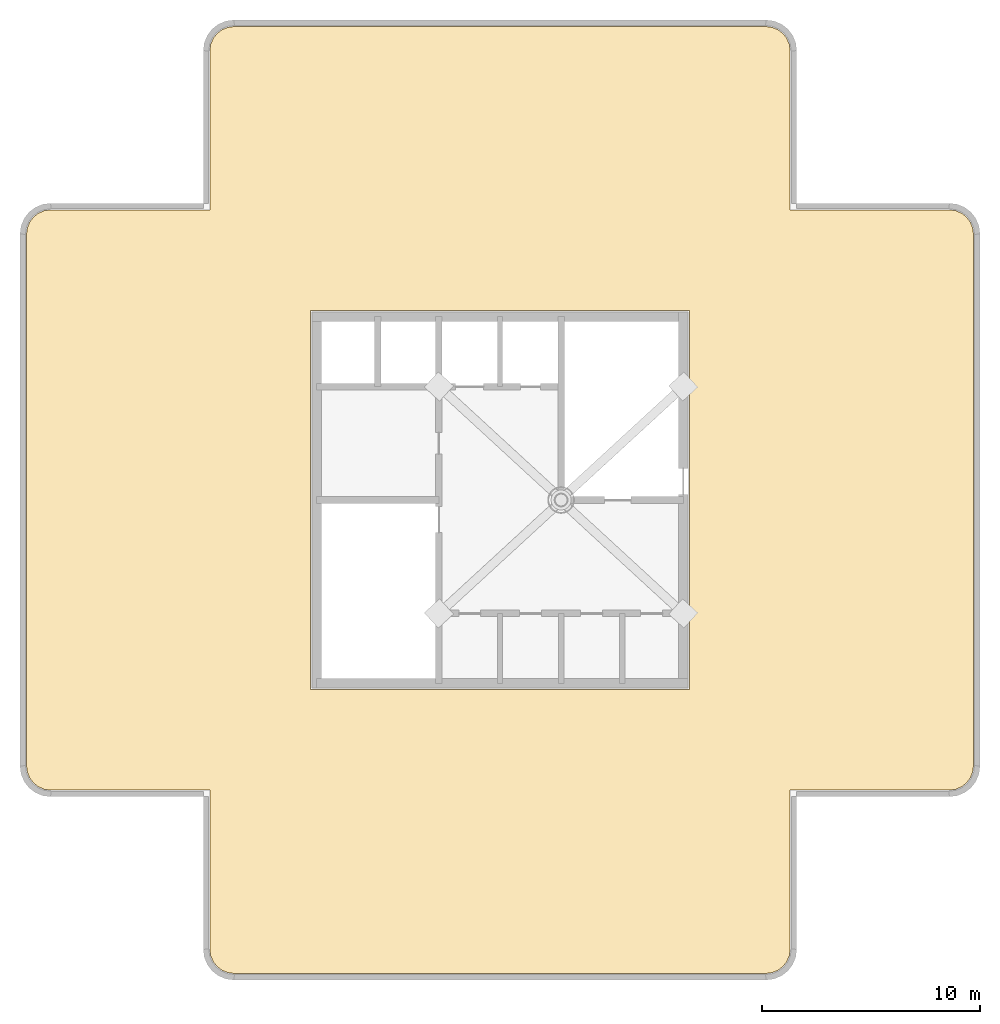
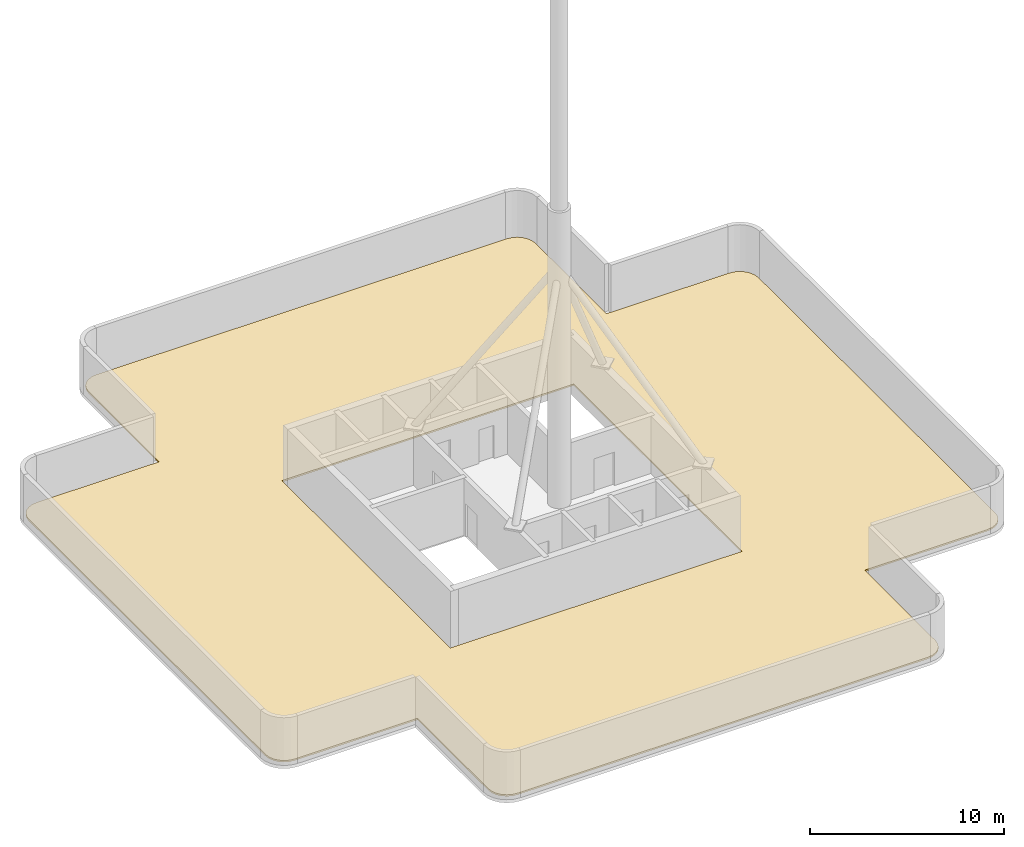
# One storey, part 4 of 4: 1 covering.
"""IFC4 building model written with IfcOpenShell, lengths in metres."""

from ifc_helpers import new_model, si_unit, direction, frame, origin, place, context, subcontext, project, spatial, polyline, outline, extrude, material, layer, layer_set, type_object, element, save


model = new_model("IFC4")

# Units and contexts
model_context = context("Model", 3, precision=1e-05, world=origin(), true_north=direction((0.0, 1.0)))
body_context = subcontext(model_context, "Body", "Model", "MODEL_VIEW")
ifc_project = project(units=[si_unit("LENGTHUNIT", "METRE"), si_unit("AREAUNIT", "SQUARE_METRE"), si_unit("VOLUMEUNIT", "CUBIC_METRE"), si_unit("PLANEANGLEUNIT", "RADIAN"), si_unit("MASSUNIT", "GRAM", prefix="KILO")], contexts=[model_context])

# Site, building, storey
site_placement = place(None, origin())
site = spatial("IfcSite", under=ifc_project, at=site_placement, CompositionType="ELEMENT")
building_placement = place(site_placement, origin())
building = spatial("IfcBuilding", under=site, at=building_placement, Name="Torre Alcanfor", CompositionType="ELEMENT")
storey_placement = place(building_placement, frame((0.0, 0.0, 309.89990234375)))
storey = spatial("IfcBuildingStorey", under=building, at=storey_placement, Name="RF", CompositionType="ELEMENT", Elevation=309.89990234375)

# Covering
ifc_material = material(Name="Bituminous membrane with concrete pavers", Category="concrete")
ifc_layer = layer(ifc_material, 0.10009765625)
ifc_layer_set = layer_set([ifc_layer], Name="Roof membrane and pavers 100")
covering_type = type_object("IfcCoveringType", Name="Roof membrane and pavers 100", PredefinedType="ROOFING", material=ifc_layer_set)
covering_placement = place(storey_placement, origin())
element("IfcCovering", 1, at=covering_placement, inside=storey, type_object=covering_type, Name="Main roof finish", PredefinedType="ROOFING", context=body_context, shape_type="SweptSolid", body=[
    extrude(outline(polyline([(16.10009765625, 42.699951171875), (16.10009765625, 49.980224609375), (16.139892578125, 50.283935546875), (16.249755859375, 50.548583984375), (16.424072265625, 50.77587890625), (16.6513671875, 50.950439453125), (16.916015625, 51.06005859375), (17.2197265625, 51.10009765625), (41.580322265625, 51.10009765625), (41.884033203125, 51.06005859375), (42.148681640625, 50.950439453125), (42.3759765625, 50.77587890625), (42.55029296875, 50.548583984375), (42.659912109375, 50.283935546875), (42.699951171875, 49.980224609375), (42.699951171875, 42.699951171875), (49.980224609375, 42.699951171875), (50.283935546875, 42.659912109375), (50.548583984375, 42.55029296875), (50.77587890625, 42.3759765625), (50.950439453125, 42.148681640625), (51.06005859375, 41.884033203125), (51.10009765625, 41.580322265625), (51.10009765625, 17.2197265625), (51.06005859375, 16.916015625), (50.950439453125, 16.6513671875), (50.77587890625, 16.424072265625), (50.548583984375, 16.249755859375), (50.283935546875, 16.139892578125), (49.980224609375, 16.10009765625), (42.699951171875, 16.10009765625), (42.699951171875, 8.819580078125), (42.659912109375, 8.51611328125), (42.55029296875, 8.251220703125), (42.3759765625, 8.024169921875), (42.148681640625, 7.849609375), (41.884033203125, 7.739990234375), (41.580322265625, 7.699951171875), (17.2197265625, 7.699951171875), (16.916015625, 7.739990234375), (16.6513671875, 7.849609375), (16.424072265625, 8.024169921875), (16.249755859375, 8.251220703125), (16.139892578125, 8.51611328125), (16.10009765625, 8.819580078125), (16.10009765625, 16.10009765625), (8.819580078125, 16.10009765625), (8.51611328125, 16.139892578125), (8.251220703125, 16.249755859375), (8.024169921875, 16.424072265625), (7.849609375, 16.6513671875), (7.739990234375, 16.916015625), (7.699951171875, 17.2197265625), (7.699951171875, 41.580322265625), (7.739990234375, 41.884033203125), (7.849609375, 42.148681640625), (8.024169921875, 42.3759765625), (8.251220703125, 42.55029296875), (8.51611328125, 42.659912109375), (8.819580078125, 42.699951171875), (16.10009765625, 42.699951171875)]), holes=[polyline([(20.72509765625, 20.72509765625), (38.074951171875, 20.72509765625), (38.074951171875, 38.074951171875), (20.72509765625, 38.074951171875), (20.72509765625, 20.72509765625)])]), origin(), (0.0, 0.0, 1.0), 0.10009765625),
])

save(model, "model.ifc")
